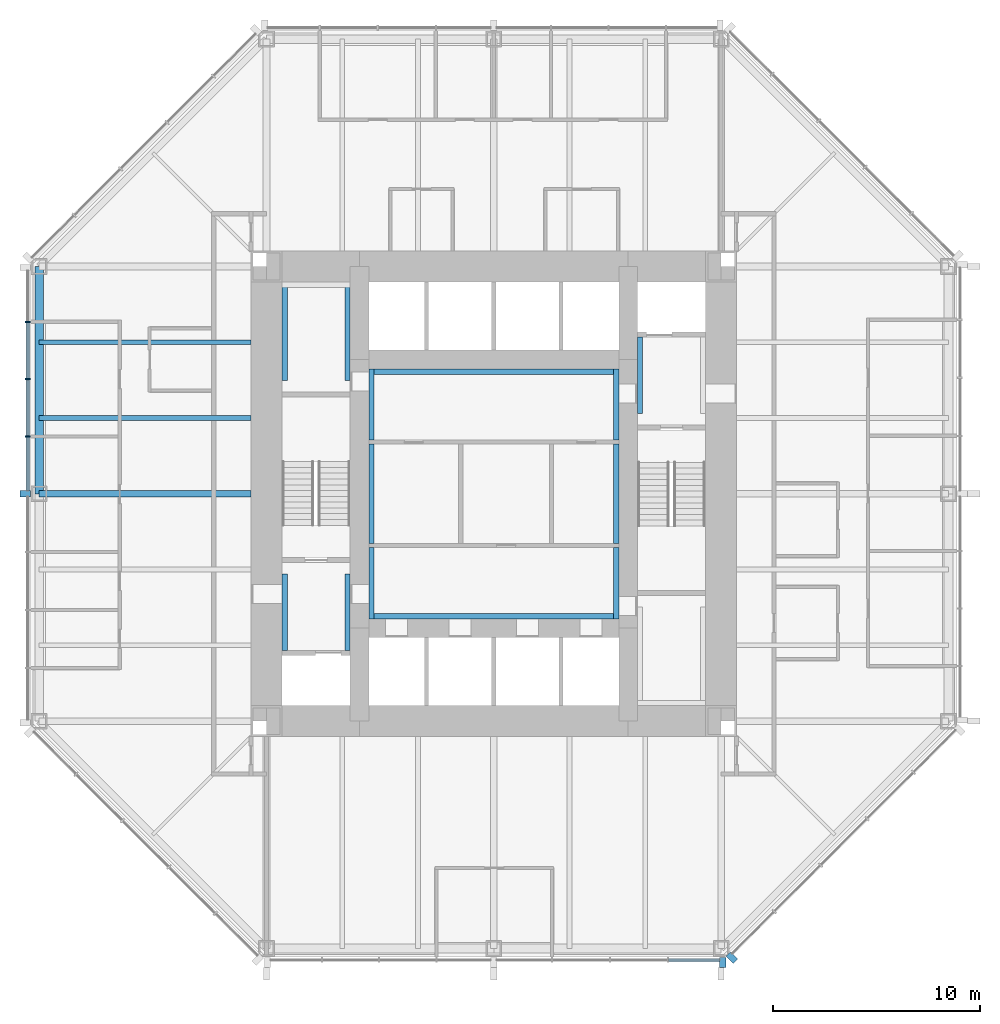
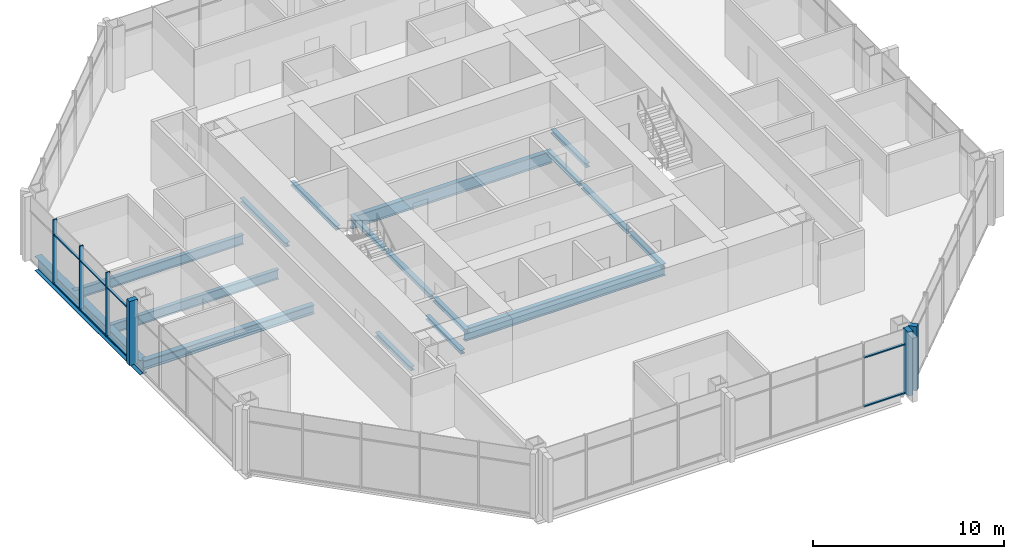
# One storey, part 3 of 12: 17 beams, 14 members, 3 elements without a shape of their own.
"""IFC4 building model written with IfcOpenShell, lengths in metres."""

from ifc_helpers import new_model, si_unit, direction, frame, origin, origin_2d, place, context, subcontext, project, spatial, rectangle, i_section, extrude, material, material_profile, profile_set, type_object, element, aggregate, save


model = new_model("IFC4")

# Units and contexts
model_context = context("Model", 3, precision=1e-05, world=origin(), true_north=direction((0.0, 1.0)))
body_context = subcontext(model_context, "Body", "Model", "MODEL_VIEW")
ifc_project = project(units=[si_unit("LENGTHUNIT", "METRE"), si_unit("AREAUNIT", "SQUARE_METRE"), si_unit("VOLUMEUNIT", "CUBIC_METRE"), si_unit("PLANEANGLEUNIT", "RADIAN"), si_unit("MASSUNIT", "GRAM", prefix="KILO")], contexts=[model_context])

# Site, building, storey
site_placement = place(None, origin())
site = spatial("IfcSite", under=ifc_project, at=site_placement, CompositionType="ELEMENT")
building_placement = place(site_placement, origin())
building = spatial("IfcBuilding", under=site, at=building_placement, Name="Trevanion Tower", CompositionType="ELEMENT")
storey_placement = place(building_placement, frame((0.0, 0.0, 133.60009765625)))
storey = spatial("IfcBuildingStorey", under=building, at=storey_placement, Name="L31", CompositionType="ELEMENT", Elevation=133.60009765625)

# Beams
ifc_material_1 = material(Name="Steel ASTM A992 Grade 50", Category="steel")
ifc_material_profile_1 = material_profile(ifc_material_1, i_section(OverallWidth=0.22900390625, OverallDepth=0.612060546875, WebThickness=0.011962890625, FlangeThickness=0.01953125, at=origin_2d()), Name="W24X84")
ifc_profile_set_1 = profile_set([ifc_material_profile_1], Name="Steel ASTM A992 Grade 50")
beam_type_1 = type_object("IfcBeamType", Name="B7 W24X84", PredefinedType="BEAM", material=ifc_profile_set_1)
for number, where, z_axis, x_axis, name in (
    (1, (-11.75, 7.333251953125, -0.49609375), (-1.0, 0.0, 0.0), (0.0, -1.0, 0.0), "B7 L31"),
    (2, (-11.75, 3.666748046875, -0.49609375), (-1.0, 0.0, 0.0), (0.0, -1.0, 0.0), "B7 L31"),
):
    element("IfcBeam", number, at=place(storey_placement, frame(where, z_axis=z_axis, x_axis=x_axis)), inside=storey, type_object=beam_type_1, Name=name, PredefinedType="BEAM", context=body_context, shape_type="SweptSolid", body=[
        extrude(i_section(OverallWidth=0.22900390625, OverallDepth=0.612060546875, WebThickness=0.011962890625, FlangeThickness=0.01953125, at=origin_2d()), origin(), (0.0, 0.0, 1.0), 10.25),
    ])

# Curtain wall, members
ifc_material_2 = material(Name="Aluminium and glass", Category="aluminium")
curtain_wall_type = type_object("IfcCurtainWallType", Name="CW2 curtain wall", PredefinedType="USERDEFINED", material=ifc_material_2)
curtain_wall_1_placement = place(storey_placement, origin())
curtain_wall_1 = element("IfcCurtainWall", 3, at=curtain_wall_1_placement, inside=storey, type_object=curtain_wall_type, Name="CW2 L31 4", ObjectType="UNITISED CURTAIN WALL", PredefinedType="USERDEFINED")
ifc_material_3 = material(Name="Aluminium extrusion, anodised bronze", Category="aluminium")
ifc_material_profile_2 = material_profile(ifc_material_3, rectangle(XDim=0.074951171875, YDim=0.25, at=origin_2d()), Name="CW2 mullion")
ifc_profile_set_2 = profile_set([ifc_material_profile_2], Name="Aluminium extrusion, anodised bronze")
member_type_1 = type_object("IfcMemberType", Name="CW2 mullion", PredefinedType="MULLION", material=ifc_profile_set_2)
member_1_placement = place(storey_placement, frame((-22.550048828125, 8.323486328125, -0.190185546875), z_axis=(0.0, 0.0, 1.0), x_axis=(0.0, -1.0, 0.0)))
member_1 = element("IfcMember", 4, at=member_1_placement, type_object=member_type_1, Name="CW2 mullion 2", PredefinedType="MULLION", context=body_context, shape_type="SweptSolid", body=[
    extrude(rectangle(XDim=0.074951171875, YDim=0.25, at=origin_2d()), origin(), (0.0, 0.0, 1.0), 4.10009765625),
])
member_2_placement = place(storey_placement, frame((-22.550048828125, 5.548828125, -0.190185546875), z_axis=(0.0, 0.0, 1.0), x_axis=(0.0, -1.0, 0.0)))
member_2 = element("IfcMember", 5, at=member_2_placement, type_object=member_type_1, Name="CW2 mullion 3", PredefinedType="MULLION", context=body_context, shape_type="SweptSolid", body=[
    extrude(rectangle(XDim=0.074951171875, YDim=0.25, at=origin_2d()), origin(), (0.0, 0.0, 1.0), 4.10009765625),
])
member_3_placement = place(storey_placement, frame((-22.550048828125, 2.7744140625, -0.190185546875), z_axis=(0.0, 0.0, 1.0), x_axis=(0.0, -1.0, 0.0)))
member_3 = element("IfcMember", 6, at=member_3_placement, type_object=member_type_1, Name="CW2 mullion 4", PredefinedType="MULLION", context=body_context, shape_type="SweptSolid", body=[
    extrude(rectangle(XDim=0.074951171875, YDim=0.25, at=origin_2d()), origin(), (0.0, 0.0, 1.0), 4.10009765625),
])
ifc_material_4 = material(Name="Aluminium extrusion, anodised bronze", Category="aluminium")
ifc_material_profile_3 = material_profile(ifc_material_4, rectangle(XDim=0.300048828125, YDim=0.5, at=origin_2d()), Name="CW2 pier mullion")
ifc_profile_set_3 = profile_set([ifc_material_profile_3], Name="Aluminium extrusion, anodised bronze")
member_type_2 = type_object("IfcMemberType", Name="CW2 pier mullion", PredefinedType="MULLION", material=ifc_profile_set_3)
member_4_placement = place(storey_placement, frame((-22.675048828125, 0.0, -0.190185546875), z_axis=(0.0, 0.0, 1.0), x_axis=(0.0, -1.0, 0.0)))
member_4 = element("IfcMember", 7, at=member_4_placement, type_object=member_type_2, Name="CW2 pier mullion 5", PredefinedType="MULLION", context=body_context, shape_type="SweptSolid", body=[
    extrude(rectangle(XDim=0.300048828125, YDim=0.5, at=origin_2d()), origin(), (0.0, 0.0, 1.0), 4.10009765625),
])

# Curtain wall, member
curtain_wall_2_placement = place(storey_placement, origin())
curtain_wall_2 = element("IfcCurtainWall", 8, at=curtain_wall_2_placement, inside=storey, type_object=curtain_wall_type, Name="CW2 L31 6", ObjectType="UNITISED CURTAIN WALL", PredefinedType="USERDEFINED")
member_5_placement = place(storey_placement, frame((11.077880859375, -22.675048828125, -0.190185546875), z_axis=(0.0, 0.0, 1.0), x_axis=(1.0, 0.0, 0.0)))
member_5 = element("IfcMember", 9, at=member_5_placement, type_object=member_type_2, Name="CW2 pier mullion 9", PredefinedType="MULLION", context=body_context, shape_type="SweptSolid", body=[
    extrude(rectangle(XDim=0.300048828125, YDim=0.5, at=origin_2d()), origin(), (0.0, 0.0, 1.0), 4.10009765625),
])

curtain_wall_3_placement = place(storey_placement, origin())
curtain_wall_3 = element("IfcCurtainWall", 10, at=curtain_wall_3_placement, inside=storey, type_object=curtain_wall_type, Name="CW2 L31 7", ObjectType="UNITISED CURTAIN WALL", PredefinedType="USERDEFINED")
member_6_placement = place(storey_placement, frame((11.51416015625, -22.4404296875, -0.190185546875), z_axis=(0.0, 0.0, 1.0), x_axis=(0.707106781187, 0.707106781187, 0.0)))
member_6 = element("IfcMember", 11, at=member_6_placement, type_object=member_type_2, Name="CW2 pier mullion 1", PredefinedType="MULLION", context=body_context, shape_type="SweptSolid", body=[
    extrude(rectangle(XDim=0.300048828125, YDim=0.5, at=origin_2d()), origin(), (0.0, 0.0, 1.0), 4.10009765625),
])
aggregate(curtain_wall_3, [member_6])

# Member
ifc_material_5 = material(Name="Aluminium extrusion, anodised bronze", Category="aluminium")
ifc_material_profile_4 = material_profile(ifc_material_5, rectangle(XDim=0.14990234375, YDim=0.074951171875, at=origin_2d()), Name="CW2 transom")
ifc_profile_set_4 = profile_set([ifc_material_profile_4], Name="Aluminium extrusion, anodised bronze")
member_type_3 = type_object("IfcMemberType", Name="CW2 transom", PredefinedType="USERDEFINED", material=ifc_profile_set_4)
member_7_placement = place(storey_placement, frame((-22.550048828125, 8.285888671875, -0.152587890625), z_axis=(0.0, -1.0, 0.0), x_axis=(1.0, 0.0, 0.0)))
member_7 = element("IfcMember", 12, at=member_7_placement, type_object=member_type_3, Name="CW2 transom 2.1", ObjectType="TRANSOM", PredefinedType="USERDEFINED", context=body_context, shape_type="SweptSolid", body=[
    extrude(rectangle(XDim=0.14990234375, YDim=0.074951171875, at=origin_2d()), origin(), (0.0, 0.0, 1.0), 2.699462890625),
])

member_8_placement = place(storey_placement, frame((-22.550048828125, 8.285888671875, 2.9599609375), z_axis=(0.0, -1.0, 0.0), x_axis=(1.0, 0.0, 0.0)))
member_8 = element("IfcMember", 13, at=member_8_placement, type_object=member_type_3, Name="CW2 transom 2.2", ObjectType="TRANSOM", PredefinedType="USERDEFINED", context=body_context, shape_type="SweptSolid", body=[
    extrude(rectangle(XDim=0.14990234375, YDim=0.074951171875, at=origin_2d()), origin(), (0.0, 0.0, 1.0), 2.699462890625),
])

member_9_placement = place(storey_placement, frame((-22.550048828125, 5.511474609375, -0.152587890625), z_axis=(0.0, -1.0, 0.0), x_axis=(1.0, 0.0, 0.0)))
member_9 = element("IfcMember", 14, at=member_9_placement, type_object=member_type_3, Name="CW2 transom 3.1", ObjectType="TRANSOM", PredefinedType="USERDEFINED", context=body_context, shape_type="SweptSolid", body=[
    extrude(rectangle(XDim=0.14990234375, YDim=0.074951171875, at=origin_2d()), origin(), (0.0, 0.0, 1.0), 2.699462890625),
])

member_10_placement = place(storey_placement, frame((-22.550048828125, 5.511474609375, 2.9599609375), z_axis=(0.0, -1.0, 0.0), x_axis=(1.0, 0.0, 0.0)))
member_10 = element("IfcMember", 15, at=member_10_placement, type_object=member_type_3, Name="CW2 transom 3.2", ObjectType="TRANSOM", PredefinedType="USERDEFINED", context=body_context, shape_type="SweptSolid", body=[
    extrude(rectangle(XDim=0.14990234375, YDim=0.074951171875, at=origin_2d()), origin(), (0.0, 0.0, 1.0), 2.699462890625),
])

member_11_placement = place(storey_placement, frame((-22.550048828125, 2.737060546875, -0.152587890625), z_axis=(0.0, -1.0, 0.0), x_axis=(1.0, 0.0, 0.0)))
member_11 = element("IfcMember", 16, at=member_11_placement, type_object=member_type_3, Name="CW2 transom 4.1", ObjectType="TRANSOM", PredefinedType="USERDEFINED", context=body_context, shape_type="SweptSolid", body=[
    extrude(rectangle(XDim=0.14990234375, YDim=0.074951171875, at=origin_2d()), origin(), (0.0, 0.0, 1.0), 2.587158203125),
])

member_12_placement = place(storey_placement, frame((-22.550048828125, 2.737060546875, 2.9599609375), z_axis=(0.0, -1.0, 0.0), x_axis=(1.0, 0.0, 0.0)))
member_12 = element("IfcMember", 17, at=member_12_placement, type_object=member_type_3, Name="CW2 transom 4.2", ObjectType="TRANSOM", PredefinedType="USERDEFINED", context=body_context, shape_type="SweptSolid", body=[
    extrude(rectangle(XDim=0.14990234375, YDim=0.074951171875, at=origin_2d()), origin(), (0.0, 0.0, 1.0), 2.587158203125),
])

aggregate(curtain_wall_1, [member_1, member_2, member_3, member_4, member_7, member_8, member_9, member_10, member_11, member_12])

member_13_placement = place(storey_placement, frame((8.45849609375, -22.550048828125, -0.152587890625), z_axis=(1.0, 0.0, 0.0), x_axis=(0.0, 1.0, 0.0)))
member_13 = element("IfcMember", 18, at=member_13_placement, type_object=member_type_3, Name="CW2 transom 8.1", ObjectType="TRANSOM", PredefinedType="USERDEFINED", context=body_context, shape_type="SweptSolid", body=[
    extrude(rectangle(XDim=0.14990234375, YDim=0.074951171875, at=origin_2d()), origin(), (0.0, 0.0, 1.0), 2.46923828125),
])

member_14_placement = place(storey_placement, frame((8.45849609375, -22.550048828125, 2.9599609375), z_axis=(1.0, 0.0, 0.0), x_axis=(0.0, 1.0, 0.0)))
member_14 = element("IfcMember", 19, at=member_14_placement, type_object=member_type_3, Name="CW2 transom 8.2", ObjectType="TRANSOM", PredefinedType="USERDEFINED", context=body_context, shape_type="SweptSolid", body=[
    extrude(rectangle(XDim=0.14990234375, YDim=0.074951171875, at=origin_2d()), origin(), (0.0, 0.0, 1.0), 2.46923828125),
])

aggregate(curtain_wall_2, [member_5, member_13, member_14])

# Beams
ifc_material_6 = material(Name="Steel ASTM A992 Grade 50", Category="steel")
ifc_material_profile_5 = material_profile(ifc_material_6, i_section(OverallWidth=0.320068359375, OverallDepth=0.584228515625, WebThickness=0.023193359375, FlangeThickness=0.04150390625, at=origin_2d()), Name="W21X201")
ifc_profile_set_5 = profile_set([ifc_material_profile_5], Name="Steel ASTM A992 Grade 50")
beam_type_2 = type_object("IfcBeamType", Name="G4 W21X201", PredefinedType="BEAM", material=ifc_profile_set_5)
beam_1_placement = place(storey_placement, frame((-11.75, 0.0, -0.482177734375), z_axis=(-1.0, 0.0, 0.0), x_axis=(0.0, -1.0, 0.0)))
element("IfcBeam", 20, at=beam_1_placement, inside=storey, type_object=beam_type_2, Name="G4 L31", PredefinedType="BEAM", context=body_context, shape_type="SweptSolid", body=[
    extrude(i_section(OverallWidth=0.320068359375, OverallDepth=0.584228515625, WebThickness=0.023193359375, FlangeThickness=0.04150390625, at=origin_2d()), origin(), (0.0, 0.0, 1.0), 10.25),
])
ifc_material_7 = material(Name="Steel ASTM A992 Grade 50", Category="steel")
ifc_material_profile_6 = material_profile(ifc_material_7, i_section(OverallWidth=0.256591796875, OverallDepth=0.26416015625, WebThickness=0.011962890625, FlangeThickness=0.01953125, at=origin_2d()), Name="W10X68")
ifc_profile_set_6 = profile_set([ifc_material_profile_6], Name="Steel ASTM A992 Grade 50")
beam_type_3 = type_object("IfcBeamType", Name="LB1 W10X68", PredefinedType="BEAM", material=ifc_profile_set_6)
for number, where, z_axis, x_axis, name in (
    (21, (-5.921630859375, 2.60009765625, -0.332275390625), (0.0, 1.0, 0.0), (-1.0, 0.0, 0.0), "LB1 L31"),
    (22, (5.921630859375, 2.60009765625, -0.332275390625), (0.0, 1.0, 0.0), (-1.0, 0.0, 0.0), "LB1 L31"),
    (23, (-5.921630859375, -6.050048828125, -0.332275390625), (0.0, 1.0, 0.0), (-1.0, 0.0, 0.0), "LB1 L31"),
    (24, (5.921630859375, -6.050048828125, -0.332275390625), (0.0, 1.0, 0.0), (-1.0, 0.0, 0.0), "LB1 L31"),
):
    element("IfcBeam", number, at=place(storey_placement, frame(where, z_axis=z_axis, x_axis=x_axis)), inside=storey, type_object=beam_type_3, Name=name, PredefinedType="BEAM", context=body_context, shape_type="SweptSolid", body=[
        extrude(i_section(OverallWidth=0.256591796875, OverallDepth=0.26416015625, WebThickness=0.011962890625, FlangeThickness=0.01953125, at=origin_2d()), origin(), (0.0, 0.0, 1.0), 3.449951171875),
    ])
for number, where, z_axis, x_axis, name in (
    (25, (7.078369140625, 3.875, -0.332275390625), (0.0, 1.0, 0.0), (-1.0, 0.0, 0.0), "LB1 L31"),
    (26, (-10.12158203125, -7.574951171875, -0.332275390625), (0.0, 1.0, 0.0), (-1.0, 0.0, 0.0), "LB1 L31"),
    (27, (-7.078369140625, -7.574951171875, -0.332275390625), (0.0, 1.0, 0.0), (-1.0, 0.0, 0.0), "LB1 L31"),
):
    element("IfcBeam", number, at=place(storey_placement, frame(where, z_axis=z_axis, x_axis=x_axis)), inside=storey, type_object=beam_type_3, Name=name, PredefinedType="BEAM", context=body_context, shape_type="SweptSolid", body=[
        extrude(i_section(OverallWidth=0.256591796875, OverallDepth=0.26416015625, WebThickness=0.011962890625, FlangeThickness=0.01953125, at=origin_2d()), origin(), (0.0, 0.0, 1.0), 3.699951171875),
    ])
for number, where, z_axis, x_axis, name in (
    (28, (-10.12158203125, 5.47509765625, -0.332275390625), (0.0, 1.0, 0.0), (-1.0, 0.0, 0.0), "LB1 L31"),
    (29, (-7.078369140625, 5.47509765625, -0.332275390625), (0.0, 1.0, 0.0), (-1.0, 0.0, 0.0), "LB1 L31"),
):
    element("IfcBeam", number, at=place(storey_placement, frame(where, z_axis=z_axis, x_axis=x_axis)), inside=storey, type_object=beam_type_3, Name=name, PredefinedType="BEAM", context=body_context, shape_type="SweptSolid", body=[
        extrude(i_section(OverallWidth=0.256591796875, OverallDepth=0.26416015625, WebThickness=0.011962890625, FlangeThickness=0.01953125, at=origin_2d()), origin(), (0.0, 0.0, 1.0), 4.77490234375),
    ])
for number, where, z_axis, x_axis, name in (
    (30, (-5.921630859375, -2.39990234375, -0.332275390625), (0.0, 1.0, 0.0), (-1.0, 0.0, 0.0), "LB1 L31"),
    (31, (5.921630859375, -2.39990234375, -0.332275390625), (0.0, 1.0, 0.0), (-1.0, 0.0, 0.0), "LB1 L31"),
):
    element("IfcBeam", number, at=place(storey_placement, frame(where, z_axis=z_axis, x_axis=x_axis)), inside=storey, type_object=beam_type_3, Name=name, PredefinedType="BEAM", context=body_context, shape_type="SweptSolid", body=[
        extrude(i_section(OverallWidth=0.256591796875, OverallDepth=0.26416015625, WebThickness=0.011962890625, FlangeThickness=0.01953125, at=origin_2d()), origin(), (0.0, 0.0, 1.0), 4.7998046875),
    ])
ifc_material_8 = material(Name="Steel ASTM A992 Grade 50", Category="steel")
ifc_material_profile_7 = material_profile(ifc_material_8, i_section(OverallWidth=0.2666015625, OverallDepth=0.76953125, WebThickness=0.015625, FlangeThickness=0.025390625, at=origin_2d()), Name="W30X132")
ifc_profile_set_7 = profile_set([ifc_material_profile_7], Name="Steel ASTM A992 Grade 50")
beam_type_4 = type_object("IfcBeamType", Name="LB3 W30X132", PredefinedType="BEAM", material=ifc_profile_set_7)
for number, where, z_axis, x_axis, name in (
    (32, (-6.050048828125, 5.91650390625, -0.5849609375), (1.0, 0.0, 0.0), (0.0, 1.0, 0.0), "LB3 L31"),
    (33, (-6.050048828125, -5.91650390625, -0.5849609375), (1.0, 0.0, 0.0), (0.0, 1.0, 0.0), "LB3 L31"),
):
    element("IfcBeam", number, at=place(storey_placement, frame(where, z_axis=z_axis, x_axis=x_axis)), inside=storey, type_object=beam_type_4, Name=name, PredefinedType="BEAM", context=body_context, shape_type="SweptSolid", body=[
        extrude(i_section(OverallWidth=0.2666015625, OverallDepth=0.76953125, WebThickness=0.015625, FlangeThickness=0.025390625, at=origin_2d()), origin(), (0.0, 0.0, 1.0), 12.10009765625),
    ])
ifc_material_9 = material(Name="Steel ASTM A992 Grade 50", Category="steel")
ifc_material_profile_8 = material_profile(ifc_material_9, i_section(OverallWidth=0.419189453125, OverallDepth=0.927001953125, WebThickness=0.019287109375, FlangeThickness=0.031982421875, at=origin_2d()), Name="W36X231")
ifc_profile_set_8 = profile_set([ifc_material_profile_8], Name="Steel ASTM A992 Grade 50")
beam_type_5 = type_object("IfcBeamType", Name="SB4 W36X231", PredefinedType="SPANDREL", material=ifc_profile_set_8)
beam_2_placement = place(storey_placement, frame((-22.0, 11.0, -0.65380859375), z_axis=(0.0, -1.0, 0.0), x_axis=(1.0, 0.0, 0.0)))
element("IfcBeam", 34, at=beam_2_placement, inside=storey, type_object=beam_type_5, Name="SB4 L31", PredefinedType="SPANDREL", context=body_context, shape_type="SweptSolid", body=[
    extrude(i_section(OverallWidth=0.419189453125, OverallDepth=0.927001953125, WebThickness=0.019287109375, FlangeThickness=0.031982421875, at=origin_2d()), origin(), (0.0, 0.0, 1.0), 11.0),
])

save(model, "model.ifc")
